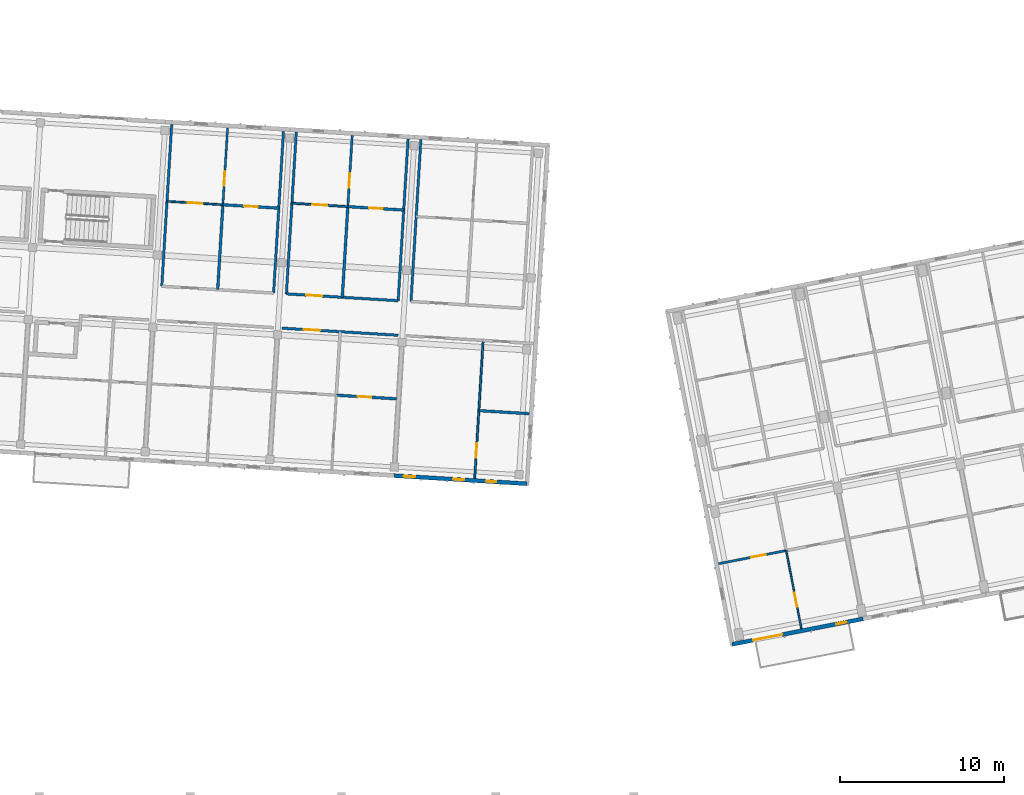
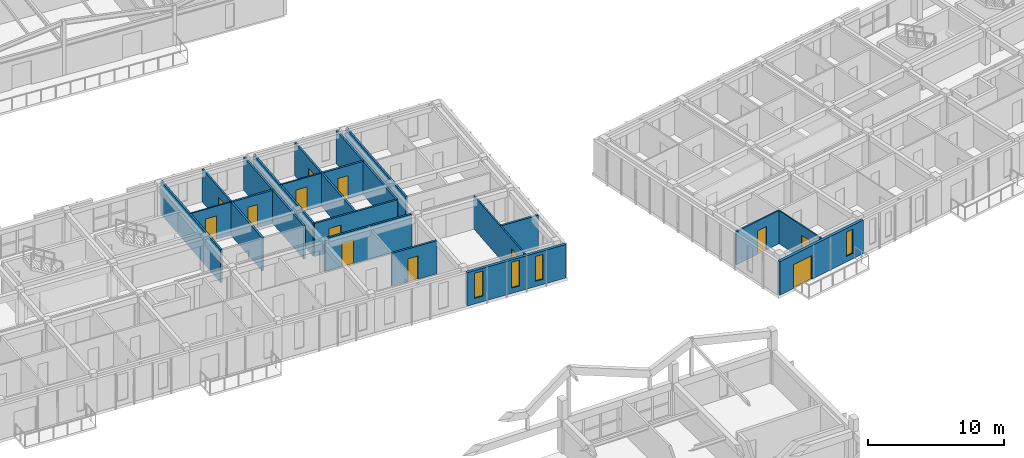
# One storey, part 76 of 127: 22 walls, 13 doors, 4 windows, 17 openings.
"""IFC4 building model written with IfcOpenShell, lengths in metres."""

from ifc_helpers import new_model, si_unit, direction, frame, frame_2d, origin, place, context, subcontext, project, spatial, rectangle, extrude, material, layer, layer_set, type_object, element, fill, save


model = new_model("IFC4")

# Units and contexts
model_context = context("Model", 3, precision=1e-05, world=origin(), true_north=direction((0.0, 1.0)))
body_context = subcontext(model_context, "Body", "Model", "MODEL_VIEW")
ifc_project = project(units=[si_unit("LENGTHUNIT", "METRE"), si_unit("AREAUNIT", "SQUARE_METRE"), si_unit("VOLUMEUNIT", "CUBIC_METRE"), si_unit("PLANEANGLEUNIT", "RADIAN"), si_unit("MASSUNIT", "GRAM", prefix="KILO")], contexts=[model_context])

# Site, building, storey
site_placement = place(None, origin())
site = spatial("IfcSite", under=ifc_project, at=site_placement, CompositionType="ELEMENT")
building_placement = place(site_placement, origin())
building = spatial("IfcBuilding", under=site, at=building_placement, Name="Kestramere Prow Commons", CompositionType="ELEMENT")
storey_placement = place(building_placement, frame((0.0, 0.0, 8.39990234375)))
storey = spatial("IfcBuildingStorey", under=building, at=storey_placement, Name="L02", CompositionType="ELEMENT", Elevation=8.39990234375)

# Wall, openings, windows
ifc_material_1 = material(Name="Fluoropolymer Standing-Seam Zinc-Aluminium Cladding", Category="aluminium")
ifc_layer_1 = layer(ifc_material_1, 0.239990234375)
ifc_layer_set_1 = layer_set([ifc_layer_1], Name="Fluoropolymer Standing-Seam Zinc-Aluminium Cladding")
wall_type_1 = type_object("IfcWallType", Name="EW-SEAM-240", PredefinedType="SOLIDWALL", material=ifc_layer_set_1)
wall_1_placement = place(storey_placement, frame((105.5068359375, 43.16015625, 0.0), z_axis=(0.0, 0.0, 1.0), x_axis=(-0.998134248939, 0.061057522844, 0.0)))
wall_1 = element("IfcWall", 1, at=wall_1_placement, inside=storey, type_object=wall_type_1, Name="Block C L02 South Standing-Seam Wall 6", PredefinedType="SOLIDWALL", context=body_context, shape_type="SweptSolid", body=[
    extrude(rectangle(XDim=8.125, YDim=0.239990234375, at=frame_2d((4.0625, 0.0))), origin(), (0.0, 0.0, 1.0), 3.0),
])
opening_1_placement = place(wall_1_placement, frame((1.89501953125, 0.0, 0.47998046875)))
opening_1 = element("IfcOpeningElement", 2, at=opening_1_placement, cuts=wall_1, Name="Opening WN-02", PredefinedType="OPENING", context=body_context, shape_type="SweptSolid", body=[
    extrude(rectangle(XDim=0.60009765625, YDim=2.219970703125, at=frame_2d((0.300048828125, 1.10986328125))), frame((0.0, 0.135009765625, 0.0), z_axis=(0.0, -1.0, 0.0), x_axis=(1.0, 0.0, 0.0)), (0.0, 0.0, 1.0), 0.27001953125),
])
opening_2_placement = place(wall_1_placement, frame((3.8349609375, 0.0, 0.47998046875)))
opening_2 = element("IfcOpeningElement", 3, at=opening_2_placement, cuts=wall_1, Name="Opening WN-05", PredefinedType="OPENING", context=body_context, shape_type="SweptSolid", body=[
    extrude(rectangle(XDim=0.659912109375, YDim=2.320068359375, at=frame_2d((0.330078125, 1.16015625))), frame((0.0, 0.135009765625, 0.0), z_axis=(0.0, -1.0, 0.0), x_axis=(1.0, 0.0, 0.0)), (0.0, 0.0, 1.0), 0.27001953125),
])
opening_3_placement = place(wall_1_placement, frame((6.8349609375, 0.0, 0.52001953125)))
opening_3 = element("IfcOpeningElement", 4, at=opening_3_placement, cuts=wall_1, Name="Opening WN-06", PredefinedType="OPENING", context=body_context, shape_type="SweptSolid", body=[
    extrude(rectangle(XDim=0.679931640625, YDim=2.239990234375, at=frame_2d((0.33984375, 1.1201171875))), frame((0.0, 0.135009765625, 0.0), z_axis=(0.0, -1.0, 0.0), x_axis=(1.0, 0.0, 0.0)), (0.0, 0.0, 1.0), 0.27001953125),
])
ifc_material_2 = material(Name="Low-E Laminated Double Glazing", Category="glass")
window_type_1 = type_object("IfcWindowType", Name="WN-NAR-600A", PartitioningType="SINGLE_PANEL", PredefinedType="WINDOW", material=ifc_material_2)
window_1_placement = place(opening_1_placement, origin())
window_1 = element("IfcWindow", 5, at=window_1_placement, inside=storey, type_object=window_type_1, Name="WN-C-L02-S-5-00", OverallHeight=2.219970703125, OverallWidth=0.60009765625, PartitioningType="SINGLE_PANEL", PredefinedType="WINDOW", context=body_context, shape_type="SweptSolid", body=[
    extrude(rectangle(XDim=0.60009765625, YDim=2.219970703125, at=frame_2d((0.300048828125, 1.10986328125))), frame((0.0, 0.030029296875, 0.0), z_axis=(0.0, -1.0, 0.0), x_axis=(1.0, 0.0, 0.0)), (0.0, 0.0, 1.0), 0.06005859375),
])
fill(opening_1, window_1)
window_type_2 = type_object("IfcWindowType", Name="WN-NAR-660A", PartitioningType="SINGLE_PANEL", PredefinedType="WINDOW", material=ifc_material_2)
window_2_placement = place(opening_2_placement, origin())
window_2 = element("IfcWindow", 6, at=window_2_placement, inside=storey, type_object=window_type_2, Name="WN-C-L02-S-5-10", OverallHeight=2.320068359375, OverallWidth=0.659912109375, PartitioningType="SINGLE_PANEL", PredefinedType="WINDOW", context=body_context, shape_type="SweptSolid", body=[
    extrude(rectangle(XDim=0.659912109375, YDim=2.320068359375, at=frame_2d((0.330078125, 1.16015625))), frame((0.0, 0.030029296875, 0.0), z_axis=(0.0, -1.0, 0.0), x_axis=(1.0, 0.0, 0.0)), (0.0, 0.0, 1.0), 0.06005859375),
])
fill(opening_2, window_2)
window_type_3 = type_object("IfcWindowType", Name="WN-NAR-680A", PartitioningType="SINGLE_PANEL", PredefinedType="WINDOW", material=ifc_material_2)
window_3_placement = place(opening_3_placement, origin())
window_3 = element("IfcWindow", 7, at=window_3_placement, inside=storey, type_object=window_type_3, Name="WN-C-L02-S-5-11", OverallHeight=2.239990234375, OverallWidth=0.679931640625, PartitioningType="SINGLE_PANEL", PredefinedType="WINDOW", context=body_context, shape_type="SweptSolid", body=[
    extrude(rectangle(XDim=0.679931640625, YDim=2.239990234375, at=frame_2d((0.33984375, 1.1201171875))), frame((0.0, 0.030029296875, 0.0), z_axis=(0.0, -1.0, 0.0), x_axis=(1.0, 0.0, 0.0)), (0.0, 0.0, 1.0), 0.06005859375),
])
fill(opening_3, window_3)

# Wall, openings, door, window
wall_2_placement = place(storey_placement, frame((125.96044921875, 34.934814453125, 0.0), z_axis=(0.0, 0.0, 1.0), x_axis=(-0.981627273155, -0.190808533872, 0.0)))
wall_2 = element("IfcWall", 8, at=wall_2_placement, inside=storey, type_object=wall_type_1, Name="Block D L02 South Standing-Seam Wall 1", PredefinedType="SOLIDWALL", context=body_context, shape_type="SweptSolid", body=[
    extrude(rectangle(XDim=8.124755859375, YDim=0.239990234375, at=frame_2d((4.0625, 0.0))), origin(), (0.0, 0.0, 1.0), 3.0),
])
opening_4_placement = place(wall_2_placement, frame((5.01904296875, 0.0, 0.0)))
opening_4 = element("IfcOpeningElement", 9, at=opening_4_placement, cuts=wall_2, Name="Opening GD-BAL-02", PredefinedType="OPENING", context=body_context, shape_type="SweptSolid", body=[
    extrude(rectangle(XDim=1.800048828125, YDim=2.1201171875, at=frame_2d((0.89990234375, 1.06005859375))), frame((0.0, 0.135009765625, 0.0), z_axis=(0.0, -1.0, 0.0), x_axis=(1.0, 0.0, 0.0)), (0.0, 0.0, 1.0), 0.27001953125),
])
opening_5_placement = place(wall_2_placement, frame((1.030029296875, 0.0, 0.5)))
opening_5 = element("IfcOpeningElement", 10, at=opening_5_placement, cuts=wall_2, Name="Opening WN-04", PredefinedType="OPENING", context=body_context, shape_type="SweptSolid", body=[
    extrude(rectangle(XDim=0.639892578125, YDim=2.179931640625, at=frame_2d((0.31982421875, 1.08984375))), frame((0.0, 0.135009765625, 0.0), z_axis=(0.0, -1.0, 0.0), x_axis=(1.0, 0.0, 0.0)), (0.0, 0.0, 1.0), 0.27001953125),
])
ifc_material_3 = material(Name="Thermally-Broken Anodised Aluminium Glazed", Category="aluminium")
door_type_1 = type_object("IfcDoorType", Name="GD-BAL-1800", OperationType="SLIDING_TO_LEFT", PredefinedType="DOOR", material=ifc_material_3)
door_1_placement = place(opening_4_placement, origin())
door_1 = element("IfcDoor", 11, at=door_1_placement, inside=storey, type_object=door_type_1, Name="Block D L02 Balcony Door 1", OperationType="SLIDING_TO_LEFT", OverallHeight=2.1201171875, OverallWidth=1.800048828125, PredefinedType="DOOR", context=body_context, shape_type="SweptSolid", body=[
    extrude(rectangle(XDim=1.800048828125, YDim=2.1201171875, at=frame_2d((0.89990234375, 1.06005859375))), frame((0.0, 0.02490234375, 0.0), z_axis=(0.0, -1.0, 0.0), x_axis=(1.0, 0.0, 0.0)), (0.0, 0.0, 1.0), 0.050048828125),
])
fill(opening_4, door_1)
window_type_4 = type_object("IfcWindowType", Name="WN-NAR-640A", PartitioningType="SINGLE_PANEL", PredefinedType="WINDOW", material=ifc_material_2)
window_4_placement = place(opening_5_placement, origin())
window_4 = element("IfcWindow", 12, at=window_4_placement, inside=storey, type_object=window_type_4, Name="WN-D-L02-SR-0", OverallHeight=2.179931640625, OverallWidth=0.639892578125, PartitioningType="SINGLE_PANEL", PredefinedType="WINDOW", context=body_context, shape_type="SweptSolid", body=[
    extrude(rectangle(XDim=0.639892578125, YDim=2.179931640625, at=frame_2d((0.31982421875, 1.08984375))), frame((0.0, 0.030029296875, 0.0), z_axis=(0.0, -1.0, 0.0), x_axis=(1.0, 0.0, 0.0)), (0.0, 0.0, 1.0), 0.06005859375),
])
fill(opening_5, window_4)

# Wall, opening, door
ifc_material_4 = material(Name="Fire-Rated Calcium Silicate Wall")
ifc_layer_2 = layer(ifc_material_4, 0.155029296875)
ifc_layer_set_2 = layer_set([ifc_layer_2], Name="Fire-Rated Calcium Silicate Wall")
wall_type_2 = type_object("IfcWallType", Name="W-FIRE-150", PredefinedType="PARTITIONING", material=ifc_layer_set_2)
wall_3_placement = place(storey_placement, frame((90.592529296875, 52.63330078125, 0.0), z_axis=(0.0, 0.0, 1.0), x_axis=(0.998135538078, -0.061036445065, 0.0)))
wall_3 = element("IfcWall", 13, at=wall_3_placement, inside=storey, type_object=wall_type_2, Name="Interior Partition PW-C-L02-CS-4", PredefinedType="PARTITIONING", context=body_context, shape_type="SweptSolid", body=[
    extrude(rectangle(XDim=7.079833984375, YDim=0.155029296875, at=frame_2d((3.5400390625, 0.0))), origin(), (0.0, 0.0, 1.0), 2.97021484375),
])
opening_6_placement = place(wall_3_placement, frame((1.330078125, 0.0, 0.0)))
opening_6 = element("IfcOpeningElement", 14, at=opening_6_placement, cuts=wall_3, Name="Opening ID-04", PredefinedType="OPENING", context=body_context, shape_type="SweptSolid", body=[
    extrude(rectangle(XDim=0.97998046875, YDim=2.14990234375, at=frame_2d((0.489990234375, 1.074951171875))), frame((0.0, 0.092529296875, 0.0), z_axis=(0.0, -1.0, 0.0), x_axis=(1.0, 0.0, 0.0)), (0.0, 0.0, 1.0), 0.18505859375),
])
ifc_material_5 = material(Name="Hardwood Fire-Rated Flat Entrance Door", Category="wood")
door_type_2 = type_object("IfcDoorType", Name="FD-ENT-01", OperationType="NOTDEFINED", PredefinedType="DOOR", material=ifc_material_5)
door_2_placement = place(opening_6_placement, origin())
door_2 = element("IfcDoor", 15, at=door_2_placement, inside=storey, type_object=door_type_2, Name="Interior Door DR-C-L02-ENT-S4", OperationType="SINGLE_SWING_LEFT", OverallHeight=2.14990234375, OverallWidth=0.97998046875, PredefinedType="DOOR", context=body_context, shape_type="SweptSolid", body=[
    extrude(rectangle(XDim=0.97998046875, YDim=2.14990234375, at=frame_2d((0.489990234375, 1.074951171875))), frame((0.0, 0.02490234375, 0.0), z_axis=(0.0, -1.0, 0.0), x_axis=(1.0, 0.0, 0.0)), (0.0, 0.0, 1.0), 0.050048828125),
])
fill(opening_6, door_2)

wall_4_placement = place(storey_placement, frame((90.850341796875, 54.721435546875, 0.0), z_axis=(0.0, 0.0, 1.0), x_axis=(0.998135665032, -0.06103436893, 0.0)))
wall_4 = element("IfcWall", 16, at=wall_4_placement, inside=storey, type_object=wall_type_2, Name="Interior Partition PW-C-L02-CN-4", PredefinedType="PARTITIONING", context=body_context, shape_type="SweptSolid", body=[
    extrude(rectangle(XDim=6.820068359375, YDim=0.155029296875, at=frame_2d((3.41015625, 0.0))), origin(), (0.0, 0.0, 1.0), 2.97021484375),
])
opening_7_placement = place(wall_4_placement, frame((1.205078125, 0.0, 0.0)))
opening_7 = element("IfcOpeningElement", 17, at=opening_7_placement, cuts=wall_4, Name="Opening ID-04", PredefinedType="OPENING", context=body_context, shape_type="SweptSolid", body=[
    extrude(rectangle(XDim=0.97998046875, YDim=2.14990234375, at=frame_2d((0.489990234375, 1.074951171875))), frame((0.0, 0.092529296875, 0.0), z_axis=(0.0, -1.0, 0.0), x_axis=(1.0, 0.0, 0.0)), (0.0, 0.0, 1.0), 0.18505859375),
])
door_3_placement = place(opening_7_placement, origin())
door_3 = element("IfcDoor", 18, at=door_3_placement, inside=storey, type_object=door_type_2, Name="Interior Door DR-C-L02-ENT-N4", OperationType="SINGLE_SWING_LEFT", OverallHeight=2.14990234375, OverallWidth=0.97998046875, PredefinedType="DOOR", context=body_context, shape_type="SweptSolid", body=[
    extrude(rectangle(XDim=0.97998046875, YDim=2.14990234375, at=frame_2d((0.489990234375, 1.074951171875))), frame((0.0, 0.02490234375, 0.0), z_axis=(0.0, -1.0, 0.0), x_axis=(1.0, 0.0, 0.0)), (0.0, 0.0, 1.0), 0.050048828125),
])
fill(opening_7, door_3)

ifc_material_6 = material(Name="Gypsum Acoustic Drywall")
ifc_layer_3 = layer(ifc_material_6, 0.10009765625)
ifc_layer_set_3 = layer_set([ifc_layer_3], Name="Gypsum Acoustic Drywall")
wall_type_3 = type_object("IfcWallType", Name="W-PART-100", PredefinedType="PARTITIONING", material=ifc_layer_set_3)
wall_5_placement = place(storey_placement, frame((122.20458984375, 34.34228515625, 0.0), z_axis=(0.0, 0.0, 1.0), x_axis=(-0.190826454074, 0.98162378966, 0.0)))
wall_5 = element("IfcWall", 19, at=wall_5_placement, inside=storey, type_object=wall_type_3, Name="Interior Partition PW-D-L02-LB-S0", PredefinedType="PARTITIONING", context=body_context, shape_type="SweptSolid", body=[
    extrude(rectangle(XDim=4.83984375, YDim=0.10009765625, at=frame_2d((2.419921875, 0.0))), origin(), (0.0, 0.0, 1.0), 2.97021484375),
])
opening_8_placement = place(wall_5_placement, frame((1.35009765625, 0.0, 0.0)))
opening_8 = element("IfcOpeningElement", 20, at=opening_8_placement, cuts=wall_5, Name="Opening ID-10", PredefinedType="OPENING", context=body_context, shape_type="SweptSolid", body=[
    extrude(rectangle(XDim=0.8798828125, YDim=2.10009765625, at=frame_2d((0.43994140625, 1.050048828125))), frame((0.0, 0.06494140625, 0.0), z_axis=(0.0, -1.0, 0.0), x_axis=(1.0, 0.0, 0.0)), (0.0, 0.0, 1.0), 0.130126953125),
])
ifc_material_7 = material(Name="Engineered Timber Bedroom Door", Category="wood")
door_type_3 = type_object("IfcDoorType", Name="D-RM-03", OperationType="NOTDEFINED", PredefinedType="DOOR", material=ifc_material_7)
door_4_placement = place(opening_8_placement, origin())
door_4 = element("IfcDoor", 21, at=door_4_placement, inside=storey, type_object=door_type_3, Name="Interior Door DR-D-L02-BED-S0", OperationType="SINGLE_SWING_LEFT", OverallHeight=2.10009765625, OverallWidth=0.8798828125, PredefinedType="DOOR", context=body_context, shape_type="SweptSolid", body=[
    extrude(rectangle(XDim=0.8798828125, YDim=2.10009765625, at=frame_2d((0.43994140625, 1.050048828125))), frame((0.0, 0.02490234375, 0.0), z_axis=(0.0, -1.0, 0.0), x_axis=(1.0, 0.0, 0.0)), (0.0, 0.0, 1.0), 0.050048828125),
])
fill(opening_8, door_4)

ifc_layer_4 = layer(ifc_material_6, 0.110107421875)
ifc_layer_set_4 = layer_set([ifc_layer_4], Name="Gypsum Acoustic Drywall")
wall_type_4 = type_object("IfcWallType", Name="W-PART-110", PredefinedType="PARTITIONING", material=ifc_layer_set_4)
wall_6_placement = place(storey_placement, frame((83.580810546875, 60.355712890625, 0.0), z_axis=(0.0, 0.0, 1.0), x_axis=(0.998133350094, -0.061072214879, 0.0)))
wall_6 = element("IfcWall", 22, at=wall_6_placement, inside=storey, type_object=wall_type_4, Name="Interior Partition PW-C-L02-MIDN1-3", PredefinedType="PARTITIONING", context=body_context, shape_type="SweptSolid", body=[
    extrude(rectangle(XDim=3.409912109375, YDim=0.110107421875, at=frame_2d((1.705078125, 0.0))), origin(), (0.0, 0.0, 1.0), 2.97021484375),
])
opening_9_placement = place(wall_6_placement, frame((1.2548828125, 0.0, 0.0)))
opening_9 = element("IfcOpeningElement", 23, at=opening_9_placement, cuts=wall_6, Name="Opening ID-08", PredefinedType="OPENING", context=body_context, shape_type="SweptSolid", body=[
    extrude(rectangle(XDim=0.89990234375, YDim=2.10009765625, at=frame_2d((0.449951171875, 1.050048828125))), frame((0.0, 0.070068359375, 0.0), z_axis=(0.0, -1.0, 0.0), x_axis=(1.0, 0.0, 0.0)), (0.0, 0.0, 1.0), 0.14013671875),
])
ifc_material_8 = material(Name="Engineered Timber Flush Door", Category="wood")
door_type_4 = type_object("IfcDoorType", Name="D-RM-01", OperationType="NOTDEFINED", PredefinedType="DOOR", material=ifc_material_8)
door_5_placement = place(opening_9_placement, origin())
door_5 = element("IfcDoor", 24, at=door_5_placement, inside=storey, type_object=door_type_4, Name="Interior Door DR-C-L02-KL-N3", OperationType="SINGLE_SWING_LEFT", OverallHeight=2.10009765625, OverallWidth=0.89990234375, PredefinedType="DOOR", context=body_context, shape_type="SweptSolid", body=[
    extrude(rectangle(XDim=0.89990234375, YDim=2.10009765625, at=frame_2d((0.449951171875, 1.050048828125))), frame((0.0, 0.02490234375, 0.0), z_axis=(0.0, -1.0, 0.0), x_axis=(1.0, 0.0, 0.0)), (0.0, 0.0, 1.0), 0.050048828125),
])
fill(opening_9, door_5)

ifc_material_9 = material(Name="Lightweight Blockwork and Plaster", Category="masonry")
ifc_layer_5 = layer(ifc_material_9, 0.1201171875)
ifc_layer_set_5 = layer_set([ifc_layer_5], Name="Lightweight Blockwork and Plaster")
wall_type_5 = type_object("IfcWallType", Name="W-PART-120", PredefinedType="PARTITIONING", material=ifc_layer_set_5)
wall_7_placement = place(storey_placement, frame((102.316162109375, 43.490478515625, 0.0), z_axis=(0.0, 0.0, 1.0), x_axis=(0.061049859271, 0.998134717702, 0.0)))
wall_7 = element("IfcWall", 25, at=wall_7_placement, inside=storey, type_object=wall_type_5, Name="Interior Partition PW-C-L02-SKDV-5", PredefinedType="PARTITIONING", context=body_context, shape_type="SweptSolid", body=[
    extrude(rectangle(XDim=8.409912109375, YDim=0.1201171875, at=frame_2d((4.205078125, 0.0))), origin(), (0.0, 0.0, 1.0), 2.97021484375),
])
opening_10_placement = place(wall_7_placement, frame((1.25, 0.0, 0.0)))
opening_10 = element("IfcOpeningElement", 26, at=opening_10_placement, cuts=wall_7, Name="Opening ID-08", PredefinedType="OPENING", context=body_context, shape_type="SweptSolid", body=[
    extrude(rectangle(XDim=0.89990234375, YDim=2.10009765625, at=frame_2d((0.449951171875, 1.050048828125))), frame((0.0, 0.074951171875, 0.0), z_axis=(0.0, -1.0, 0.0), x_axis=(1.0, 0.0, 0.0)), (0.0, 0.0, 1.0), 0.150146484375),
])
door_6_placement = place(opening_10_placement, origin())
door_6 = element("IfcDoor", 27, at=door_6_placement, inside=storey, type_object=door_type_4, Name="Interior Door DR-C-L02-SKAL-5", OperationType="SINGLE_SWING_LEFT", OverallHeight=2.10009765625, OverallWidth=0.89990234375, PredefinedType="DOOR", context=body_context, shape_type="SweptSolid", body=[
    extrude(rectangle(XDim=0.89990234375, YDim=2.10009765625, at=frame_2d((0.449951171875, 1.050048828125))), frame((0.0, 0.02490234375, 0.0), z_axis=(0.0, -1.0, 0.0), x_axis=(1.0, 0.0, 0.0)), (0.0, 0.0, 1.0), 0.050048828125),
])
fill(opening_10, door_6)

wall_8_placement = place(storey_placement, frame((91.18798828125, 60.2412109375, 0.0), z_axis=(0.0, 0.0, 1.0), x_axis=(0.998133350094, -0.061072214879, 0.0)))
wall_8 = element("IfcWall", 28, at=wall_8_placement, inside=storey, type_object=wall_type_5, Name="Interior Partition PW-C-L02-MIDN1-4", PredefinedType="PARTITIONING", context=body_context, shape_type="SweptSolid", body=[
    extrude(rectangle(XDim=3.409912109375, YDim=0.1201171875, at=frame_2d((1.705078125, 0.0))), origin(), (0.0, 0.0, 1.0), 2.97021484375),
])
opening_11_placement = place(wall_8_placement, frame((1.2548828125, 0.0, 0.0)))
opening_11 = element("IfcOpeningElement", 29, at=opening_11_placement, cuts=wall_8, Name="Opening ID-08", PredefinedType="OPENING", context=body_context, shape_type="SweptSolid", body=[
    extrude(rectangle(XDim=0.89990234375, YDim=2.10009765625, at=frame_2d((0.449951171875, 1.050048828125))), frame((0.0, 0.074951171875, 0.0), z_axis=(0.0, -1.0, 0.0), x_axis=(1.0, 0.0, 0.0)), (0.0, 0.0, 1.0), 0.150146484375),
])
door_7_placement = place(opening_11_placement, origin())
door_7 = element("IfcDoor", 30, at=door_7_placement, inside=storey, type_object=door_type_4, Name="Interior Door DR-C-L02-KL-N4", OperationType="SINGLE_SWING_LEFT", OverallHeight=2.10009765625, OverallWidth=0.89990234375, PredefinedType="DOOR", context=body_context, shape_type="SweptSolid", body=[
    extrude(rectangle(XDim=0.89990234375, YDim=2.10009765625, at=frame_2d((0.449951171875, 1.050048828125))), frame((0.0, 0.02490234375, 0.0), z_axis=(0.0, -1.0, 0.0), x_axis=(1.0, 0.0, 0.0)), (0.0, 0.0, 1.0), 0.050048828125),
])
fill(opening_11, door_7)

ifc_layer_6 = layer(ifc_material_9, 0.1298828125)
ifc_layer_set_6 = layer_set([ifc_layer_6], Name="Lightweight Blockwork and Plaster")
wall_type_6 = type_object("IfcWallType", Name="W-PART-130", PredefinedType="PARTITIONING", material=ifc_layer_set_6)
wall_9_placement = place(storey_placement, frame((86.984375, 60.1474609375, 0.0), z_axis=(0.0, 0.0, 1.0), x_axis=(0.061059262019, 0.998134142549, 0.0)))
wall_9 = element("IfcWall", 31, at=wall_9_placement, inside=storey, type_object=wall_type_6, Name="Interior Partition PW-C-L02-LB-N3", PredefinedType="PARTITIONING", context=body_context, shape_type="SweptSolid", body=[
    extrude(rectangle(XDim=4.690185546875, YDim=0.1298828125, at=frame_2d((2.34521484375, 0.0))), origin(), (0.0, 0.0, 1.0), 2.97021484375),
])
opening_12_placement = place(wall_9_placement, frame((1.14990234375, 0.0, 0.0)))
opening_12 = element("IfcOpeningElement", 32, at=opening_12_placement, cuts=wall_9, Name="Opening ID-10", PredefinedType="OPENING", context=body_context, shape_type="SweptSolid", body=[
    extrude(rectangle(XDim=0.8798828125, YDim=2.10009765625, at=frame_2d((0.43994140625, 1.050048828125))), frame((0.0, 0.079833984375, 0.0), z_axis=(0.0, -1.0, 0.0), x_axis=(1.0, 0.0, 0.0)), (0.0, 0.0, 1.0), 0.159912109375),
])
door_8_placement = place(opening_12_placement, origin())
door_8 = element("IfcDoor", 33, at=door_8_placement, inside=storey, type_object=door_type_3, Name="Interior Door DR-C-L02-BED-N3", OperationType="SINGLE_SWING_LEFT", OverallHeight=2.10009765625, OverallWidth=0.8798828125, PredefinedType="DOOR", context=body_context, shape_type="SweptSolid", body=[
    extrude(rectangle(XDim=0.8798828125, YDim=2.10009765625, at=frame_2d((0.43994140625, 1.050048828125))), frame((0.0, 0.02490234375, 0.0), z_axis=(0.0, -1.0, 0.0), x_axis=(1.0, 0.0, 0.0)), (0.0, 0.0, 1.0), 0.050048828125),
])
fill(opening_12, door_8)

ifc_material_10 = material(Name="Masonry Compartment Wall", Category="masonry")
ifc_layer_7 = layer(ifc_material_10, 0.139892578125)
ifc_layer_set_7 = layer_set([ifc_layer_7], Name="Masonry Compartment Wall")
wall_type_7 = type_object("IfcWallType", Name="W-PART-140", PredefinedType="PARTITIONING", material=ifc_layer_set_7)
wall_10_placement = place(storey_placement, frame((94.591552734375, 60.032958984375, 0.0), z_axis=(0.0, 0.0, 1.0), x_axis=(0.061092906669, 0.998132083822, 0.0)))
wall_10 = element("IfcWall", 34, at=wall_10_placement, inside=storey, type_object=wall_type_7, Name="Interior Partition PW-C-L02-LB-N4", PredefinedType="PARTITIONING", context=body_context, shape_type="SweptSolid", body=[
    extrude(rectangle(XDim=4.33984375, YDim=0.139892578125, at=frame_2d((2.169921875, 0.0))), origin(), (0.0, 0.0, 1.0), 2.97021484375),
])
opening_13_placement = place(wall_10_placement, frame((1.14990234375, 0.0, 0.0)))
opening_13 = element("IfcOpeningElement", 35, at=opening_13_placement, cuts=wall_10, Name="Opening ID-08", PredefinedType="OPENING", context=body_context, shape_type="SweptSolid", body=[
    extrude(rectangle(XDim=0.89990234375, YDim=2.10009765625, at=frame_2d((0.449951171875, 1.050048828125))), frame((0.0, 0.0849609375, 0.0), z_axis=(0.0, -1.0, 0.0), x_axis=(1.0, 0.0, 0.0)), (0.0, 0.0, 1.0), 0.169921875),
])
door_9_placement = place(opening_13_placement, origin())
door_9 = element("IfcDoor", 36, at=door_9_placement, inside=storey, type_object=door_type_4, Name="Interior Door DR-C-L02-BED-N4", OperationType="SINGLE_SWING_LEFT", OverallHeight=2.10009765625, OverallWidth=0.89990234375, PredefinedType="DOOR", context=body_context, shape_type="SweptSolid", body=[
    extrude(rectangle(XDim=0.89990234375, YDim=2.10009765625, at=frame_2d((0.449951171875, 1.050048828125))), frame((0.0, 0.02490234375, 0.0), z_axis=(0.0, -1.0, 0.0), x_axis=(1.0, 0.0, 0.0)), (0.0, 0.0, 1.0), 0.050048828125),
])
fill(opening_13, door_9)

wall_11_placement = place(storey_placement, frame((117.1630859375, 38.29296875, 0.0), z_axis=(0.0, 0.0, 1.0), x_axis=(0.981633861466, 0.19077463674, 0.0)))
wall_11 = element("IfcWall", 37, at=wall_11_placement, inside=storey, type_object=wall_type_7, Name="Interior Partition PW-D-L02-MIDS1-0", PredefinedType="PARTITIONING", context=body_context, shape_type="SweptSolid", body=[
    extrude(rectangle(XDim=4.195068359375, YDim=0.139892578125, at=frame_2d((2.09765625, 0.0))), origin(), (0.0, 0.0, 1.0), 2.97021484375),
])
opening_14_placement = place(wall_11_placement, frame((2.034912109375, 0.0, 0.0)))
opening_14 = element("IfcOpeningElement", 38, at=opening_14_placement, cuts=wall_11, Name="Opening ID-08", PredefinedType="OPENING", context=body_context, shape_type="SweptSolid", body=[
    extrude(rectangle(XDim=0.89990234375, YDim=2.10009765625, at=frame_2d((0.449951171875, 1.050048828125))), frame((0.0, 0.0849609375, 0.0), z_axis=(0.0, -1.0, 0.0), x_axis=(1.0, 0.0, 0.0)), (0.0, 0.0, 1.0), 0.169921875),
])
door_10_placement = place(opening_14_placement, origin())
door_10 = element("IfcDoor", 39, at=door_10_placement, inside=storey, type_object=door_type_4, Name="Interior Door DR-D-L02-KL-S0", OperationType="SINGLE_SWING_RIGHT", OverallHeight=2.10009765625, OverallWidth=0.89990234375, PredefinedType="DOOR", context=body_context, shape_type="SweptSolid", body=[
    extrude(rectangle(XDim=0.89990234375, YDim=2.10009765625, at=frame_2d((0.449951171875, 1.050048828125))), frame((0.0, 0.02490234375, 0.0), z_axis=(0.0, -1.0, 0.0), x_axis=(1.0, 0.0, 0.0)), (0.0, 0.0, 1.0), 0.050048828125),
])
fill(opening_14, door_10)

# Walls
ifc_layer_8 = layer(ifc_material_10, 0.14990234375)
ifc_layer_set_8 = layer_set([ifc_layer_8], Name="Masonry Compartment Wall")
wall_type_8 = type_object("IfcWallType", Name="W-PART-150", PredefinedType="PARTITIONING", material=ifc_layer_set_8)
wall_12_placement = place(storey_placement, frame((83.2646484375, 55.185302734375, 0.0), z_axis=(0.0, 0.0, 1.0), x_axis=(0.061046193261, 0.998134941923, 0.0)))
element("IfcWall", 40, at=wall_12_placement, inside=storey, type_object=wall_type_8, Name="Interior Partition PW-C-L02-NWL-3", PredefinedType="PARTITIONING", context=body_context, shape_type="SweptSolid", body=[
    extrude(rectangle(XDim=9.8701171875, YDim=0.14990234375, at=frame_2d((4.93505859375, 0.0))), origin(), (0.0, 0.0, 1.0), 2.97021484375),
])
for number, where, z_axis, x_axis, name in (
    (41, (90.07177734375, 54.76904296875, 0.0), (0.0, 0.0, 1.0), (0.061047700465, 0.998134849741, 0.0), "Interior Partition PW-C-L02-NWR-3"),
    (42, (90.850341796875, 54.721435546875, 0.0), (0.0, 0.0, 1.0), (0.061047700465, 0.998134849741, 0.0), "Interior Partition PW-C-L02-NWL-4"),
    (43, (97.65771484375, 54.30517578125, 0.0), (0.0, 0.0, 1.0), (0.061047700465, 0.998134849741, 0.0), "Interior Partition PW-C-L02-NWR-4"),
    (44, (98.436279296875, 54.257568359375, 0.0), (0.0, 0.0, 1.0), (0.061047700465, 0.998134849741, 0.0), "Interior Partition PW-C-L02-NWL-5"),
):
    element("IfcWall", number, at=place(storey_placement, frame(where, z_axis=z_axis, x_axis=x_axis)), inside=storey, type_object=wall_type_8, Name=name, PredefinedType="PARTITIONING", context=body_context, shape_type="SweptSolid", body=[
        extrude(rectangle(XDim=9.869873046875, YDim=0.14990234375, at=frame_2d((4.93505859375, 0.0))), origin(), (0.0, 0.0, 1.0), 2.97021484375),
    ])

# Wall, opening, door
ifc_material_11 = material(Name="Waterproof Sanitary Masonry Wall", Category="masonry")
ifc_layer_9 = layer(ifc_material_11, 0.1650390625)
ifc_layer_set_9 = layer_set([ifc_layer_9], Name="Waterproof Sanitary Masonry Wall")
wall_type_9 = type_object("IfcWallType", Name="W-PLUMB-150", PredefinedType="PLUMBINGWALL", material=ifc_layer_set_9)
wall_13_placement = place(storey_placement, frame((93.8896484375, 48.554443359375, 0.0), z_axis=(0.0, 0.0, 1.0), x_axis=(0.99813243538, -0.061087162657, 0.0)))
wall_13 = element("IfcWall", 45, at=wall_13_placement, inside=storey, type_object=wall_type_9, Name="Interior Partition PW-C-L02-MIDS2-4", PredefinedType="PLUMBINGWALL", context=body_context, shape_type="SweptSolid", body=[
    extrude(rectangle(XDim=3.684814453125, YDim=0.1650390625, at=frame_2d((1.84228515625, 0.0))), origin(), (0.0, 0.0, 1.0), 2.97021484375),
])
opening_15_placement = place(wall_13_placement, frame((1.300048828125, 0.0, 0.0)))
opening_15 = element("IfcOpeningElement", 46, at=opening_15_placement, cuts=wall_13, Name="Opening ID-11", PredefinedType="OPENING", context=body_context, shape_type="SweptSolid", body=[
    extrude(rectangle(XDim=0.820068359375, YDim=2.080078125, at=frame_2d((0.41015625, 1.0400390625))), frame((0.0, 0.097412109375, 0.0), z_axis=(0.0, -1.0, 0.0), x_axis=(1.0, 0.0, 0.0)), (0.0, 0.0, 1.0), 0.195068359375),
])
ifc_material_12 = material(Name="Moisture-Resistant Timber Bathroom Door", Category="wood")
door_type_5 = type_object("IfcDoorType", Name="D-BT-01", OperationType="NOTDEFINED", PredefinedType="DOOR", material=ifc_material_12)
door_11_placement = place(opening_15_placement, origin())
door_11 = element("IfcDoor", 47, at=door_11_placement, inside=storey, type_object=door_type_5, Name="Interior Door DR-C-L02-BTH-S4", OperationType="SINGLE_SWING_LEFT", OverallHeight=2.080078125, OverallWidth=0.820068359375, PredefinedType="DOOR", context=body_context, shape_type="SweptSolid", body=[
    extrude(rectangle(XDim=0.820068359375, YDim=2.080078125, at=frame_2d((0.41015625, 1.0400390625))), frame((0.0, 0.02490234375, 0.0), z_axis=(0.0, -1.0, 0.0), x_axis=(1.0, 0.0, 0.0)), (0.0, 0.0, 1.0), 0.050048828125),
])
fill(opening_15, door_11)

# Wall
wall_14_placement = place(storey_placement, frame((102.568359375, 47.61279296875, 0.0), z_axis=(0.0, 0.0, 1.0), x_axis=(0.99813419504, -0.061058403944, 0.0)))
element("IfcWall", 48, at=wall_14_placement, inside=storey, type_object=wall_type_9, Name="Interior Partition PW-C-L02-SKHZ-5", PredefinedType="PLUMBINGWALL", context=body_context, shape_type="SweptSolid", body=[
    extrude(rectangle(XDim=3.07470703125, YDim=0.1650390625, at=frame_2d((1.537353515625, 0.0))), origin(), (0.0, 0.0, 1.0), 2.97021484375),
])

# Wall, opening, door
wall_15_placement = place(storey_placement, frame((86.984375, 60.1474609375, 0.0), z_axis=(0.0, 0.0, 1.0), x_axis=(0.99813797838, -0.060996525433, 0.0)))
wall_15 = element("IfcWall", 49, at=wall_15_placement, inside=storey, type_object=wall_type_9, Name="Interior Partition PW-C-L02-MIDN2-3", PredefinedType="PLUMBINGWALL", context=body_context, shape_type="SweptSolid", body=[
    extrude(rectangle(XDim=3.41015625, YDim=0.1650390625, at=frame_2d((1.705078125, 0.0))), origin(), (0.0, 0.0, 1.0), 2.97021484375),
])
opening_16_placement = place(wall_15_placement, frame((1.294921875, 0.0, 0.0)))
opening_16 = element("IfcOpeningElement", 50, at=opening_16_placement, cuts=wall_15, Name="Opening ID-11", PredefinedType="OPENING", context=body_context, shape_type="SweptSolid", body=[
    extrude(rectangle(XDim=0.820068359375, YDim=2.080078125, at=frame_2d((0.41015625, 1.0400390625))), frame((0.0, 0.097412109375, 0.0), z_axis=(0.0, -1.0, 0.0), x_axis=(1.0, 0.0, 0.0)), (0.0, 0.0, 1.0), 0.195068359375),
])
door_12_placement = place(opening_16_placement, origin())
door_12 = element("IfcDoor", 51, at=door_12_placement, inside=storey, type_object=door_type_5, Name="Interior Door DR-C-L02-BTH-N3", OperationType="SINGLE_SWING_RIGHT", OverallHeight=2.080078125, OverallWidth=0.820068359375, PredefinedType="DOOR", context=body_context, shape_type="SweptSolid", body=[
    extrude(rectangle(XDim=0.820068359375, YDim=2.080078125, at=frame_2d((0.41015625, 1.0400390625))), frame((0.0, 0.02490234375, 0.0), z_axis=(0.0, -1.0, 0.0), x_axis=(1.0, 0.0, 0.0)), (0.0, 0.0, 1.0), 0.050048828125),
])
fill(opening_16, door_12)

# Wall
wall_16_placement = place(storey_placement, frame((86.668212890625, 54.977294921875, 0.0), z_axis=(0.0, 0.0, 1.0), x_axis=(0.061037231879, 0.998135489963, 0.0)))
element("IfcWall", 52, at=wall_16_placement, inside=storey, type_object=wall_type_9, Name="Interior Partition PW-C-L02-KB-N3", PredefinedType="PLUMBINGWALL", context=body_context, shape_type="SweptSolid", body=[
    extrude(rectangle(XDim=5.179931640625, YDim=0.1650390625, at=frame_2d((2.58984375, 0.0))), origin(), (0.0, 0.0, 1.0), 2.97021484375),
])

# Wall, opening, door
wall_17_placement = place(storey_placement, frame((94.591552734375, 60.032958984375, 0.0), z_axis=(0.0, 0.0, 1.0), x_axis=(0.998133617109, -0.061067850767, 0.0)))
wall_17 = element("IfcWall", 53, at=wall_17_placement, inside=storey, type_object=wall_type_9, Name="Interior Partition PW-C-L02-MIDN2-4", PredefinedType="PLUMBINGWALL", context=body_context, shape_type="SweptSolid", body=[
    extrude(rectangle(XDim=3.41015625, YDim=0.1650390625, at=frame_2d((1.705078125, 0.0))), origin(), (0.0, 0.0, 1.0), 2.97021484375),
])
opening_17_placement = place(wall_17_placement, frame((1.294921875, 0.0, 0.0)))
opening_17 = element("IfcOpeningElement", 54, at=opening_17_placement, cuts=wall_17, Name="Opening ID-11", PredefinedType="OPENING", context=body_context, shape_type="SweptSolid", body=[
    extrude(rectangle(XDim=0.820068359375, YDim=2.080078125, at=frame_2d((0.41015625, 1.0400390625))), frame((0.0, 0.097412109375, 0.0), z_axis=(0.0, -1.0, 0.0), x_axis=(1.0, 0.0, 0.0)), (0.0, 0.0, 1.0), 0.195068359375),
])
door_13_placement = place(opening_17_placement, origin())
door_13 = element("IfcDoor", 55, at=door_13_placement, inside=storey, type_object=door_type_5, Name="Interior Door DR-C-L02-BTH-N4", OperationType="SINGLE_SWING_RIGHT", OverallHeight=2.080078125, OverallWidth=0.820068359375, PredefinedType="DOOR", context=body_context, shape_type="SweptSolid", body=[
    extrude(rectangle(XDim=0.820068359375, YDim=2.080078125, at=frame_2d((0.41015625, 1.0400390625))), frame((0.0, 0.02490234375, 0.0), z_axis=(0.0, -1.0, 0.0), x_axis=(1.0, 0.0, 0.0)), (0.0, 0.0, 1.0), 0.050048828125),
])
fill(opening_17, door_13)

# Wall
wall_18_placement = place(storey_placement, frame((94.25390625, 54.51318359375, 0.0), z_axis=(0.0, 0.0, 1.0), x_axis=(0.061056206715, 0.998134329447, 0.0)))
element("IfcWall", 56, at=wall_18_placement, inside=storey, type_object=wall_type_9, Name="Interior Partition PW-C-L02-KB-N4", PredefinedType="PLUMBINGWALL", context=body_context, shape_type="SweptSolid", body=[
    extrude(rectangle(XDim=5.530029296875, YDim=0.1650390625, at=frame_2d((2.76513671875, 0.0))), origin(), (0.0, 0.0, 1.0), 2.97021484375),
])

save(model, "model.ifc")
